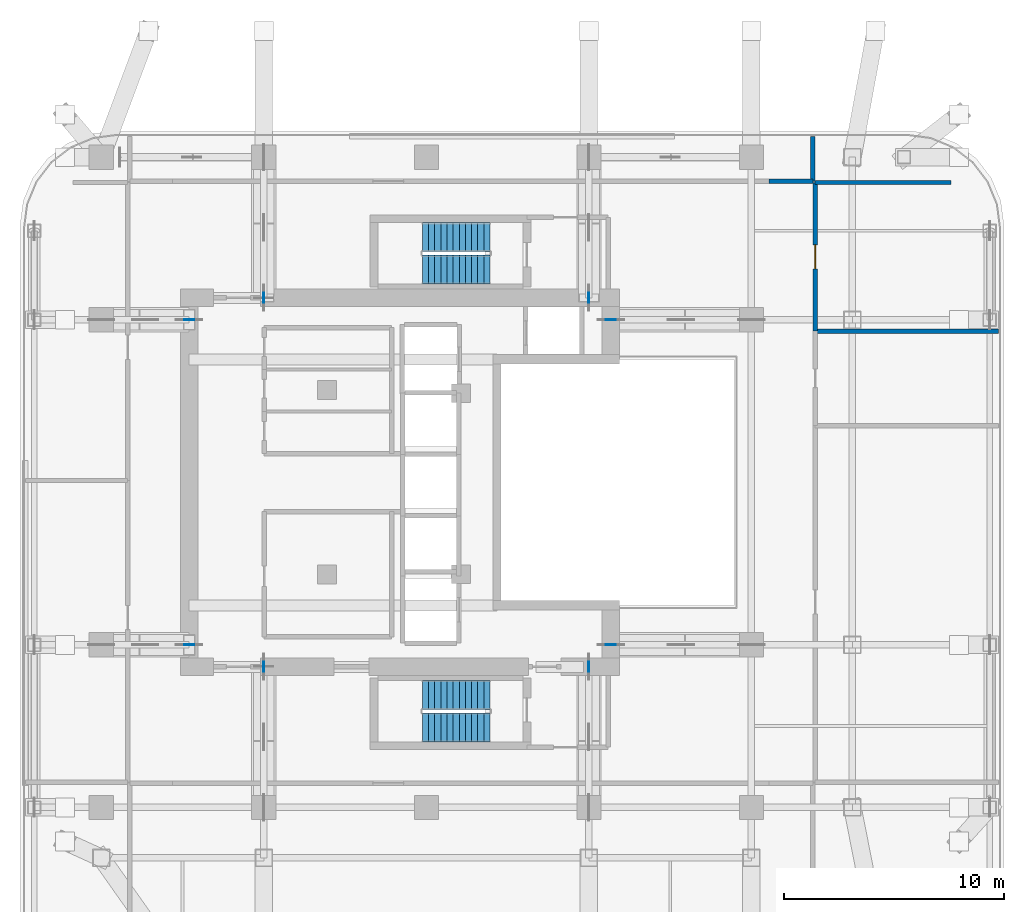
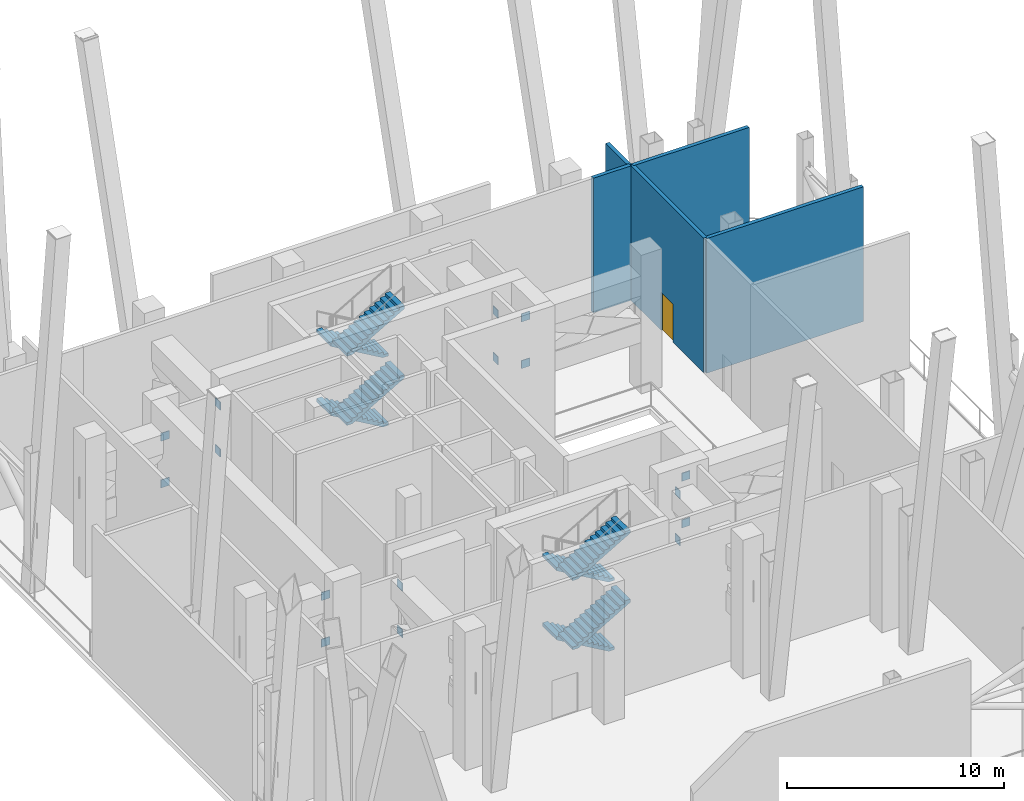
# One storey, part 6 of 9: 16 discrete accessories, 8 stair flights, 5 walls, 1 door, 1 opening, 2 elements without a shape of their own.
"""IFC4 building model written with IfcOpenShell, lengths in metres."""

from ifc_helpers import new_model, si_unit, direction, frame, frame_2d, origin, origin_2d, place, context, subcontext, project, spatial, polyline, rectangle, outline, extrude, material, layer, layer_set, type_object, element, fill, aggregate, save


model = new_model("IFC4")

# Units and contexts
model_context = context("Model", 3, precision=1e-05, world=origin(), true_north=direction((0.0, 1.0)))
body_context = subcontext(model_context, "Body", "Model", "MODEL_VIEW")
ifc_project = project(units=[si_unit("LENGTHUNIT", "METRE"), si_unit("AREAUNIT", "SQUARE_METRE"), si_unit("VOLUMEUNIT", "CUBIC_METRE"), si_unit("PLANEANGLEUNIT", "RADIAN"), si_unit("MASSUNIT", "GRAM", prefix="KILO")], contexts=[model_context])

# Site, building, storey
site_placement = place(None, origin())
site = spatial("IfcSite", under=ifc_project, at=site_placement, CompositionType="ELEMENT")
building_placement = place(site_placement, origin())
building = spatial("IfcBuilding", under=site, at=building_placement, Name="Khorvyn Point Tower", CompositionType="ELEMENT")
storey_placement = place(building_placement, frame((0.0, 0.0, 235.199951171875)))
storey = spatial("IfcBuildingStorey", under=building, at=storey_placement, Name="L58", CompositionType="ELEMENT", Elevation=235.199951171875)

# Wall, opening, door
ifc_material_1 = material(Name="Concrete C40/50", Category="concrete")
ifc_layer = layer(ifc_material_1, 0.199951171875)
ifc_layer_set = layer_set([ifc_layer], Name="Concrete C40/50 Fire-Lobby Compartment Wall 200")
wall_type = type_object("IfcWallType", Name="Concrete C40/50 Fire-Lobby Compartment Wall 200", PredefinedType="SOLIDWALL", material=ifc_layer_set)
wall_1_placement = place(storey_placement, frame((17.699951171875, 6.8798828125, 0.0), z_axis=(0.0, 0.0, 1.0), x_axis=(0.0, 1.0, 0.0)))
wall_1 = element("IfcWall", 1, at=wall_1_placement, inside=storey, type_object=wall_type, Name="Wall", PredefinedType="SOLIDWALL", context=body_context, shape_type="SweptSolid", body=[
    extrude(rectangle(XDim=6.77001953125, YDim=0.199951171875, at=frame_2d((3.385009765625, 0.0))), origin(), (0.0, 0.0, 1.0), 7.580078125),
])
opening_placement = place(wall_1_placement, frame((2.8349609375, 0.0, 0.0)))
opening = element("IfcOpeningElement", 2, at=opening_placement, cuts=wall_1, Name="Opening ID-FL90", PredefinedType="OPENING", context=body_context, shape_type="SweptSolid", body=[
    extrude(rectangle(XDim=1.10009765625, YDim=2.14990234375, at=frame_2d((0.550048828125, 1.074951171875))), frame((0.0, 0.10986328125, 0.0), z_axis=(0.0, -1.0, 0.0), x_axis=(1.0, 0.0, 0.0)), (0.0, 0.0, 1.0), 0.219970703125),
])
ifc_material_2 = material(Name="Galvanised powder-coated steel", Category="steel")
door_type = type_object("IfcDoorType", Name="Fire-Rated Steel Lobby and Stair Door 1100x2150", OperationType="NOTDEFINED", PredefinedType="DOOR", material=ifc_material_2)
door_placement = place(opening_placement, origin())
door = element("IfcDoor", 3, at=door_placement, inside=storey, type_object=door_type, Name="Door", OperationType="SINGLE_SWING_LEFT", OverallHeight=2.14990234375, OverallWidth=1.10009765625, PredefinedType="DOOR", context=body_context, shape_type="SweptSolid", body=[
    extrude(rectangle(XDim=1.10009765625, YDim=2.14990234375, at=frame_2d((0.550048828125, 1.074951171875))), frame((0.0, 0.02490234375, 0.0), z_axis=(0.0, -1.0, 0.0), x_axis=(1.0, 0.0, 0.0)), (0.0, 0.0, 1.0), 0.050048828125),
])
fill(opening, door)

# Walls
wall_2_placement = place(storey_placement, frame((15.60009765625, 13.699951171875, 0.0), z_axis=(0.0, 0.0, 1.0), x_axis=(1.0, 0.0, 0.0)))
element("IfcWall", 4, at=wall_2_placement, inside=storey, type_object=wall_type, Name="Wall", PredefinedType="SOLIDWALL", context=body_context, shape_type="SweptSolid", body=[
    extrude(rectangle(XDim=2.0, YDim=0.199951171875, at=frame_2d((1.0, 0.0))), origin(), (0.0, 0.0, 1.0), 7.580078125),
])
wall_3_placement = place(storey_placement, frame((17.60009765625, 13.699951171875, 0.0), z_axis=(0.0, 0.0, 1.0), x_axis=(0.0, 1.0, 0.0)))
element("IfcWall", 5, at=wall_3_placement, inside=storey, type_object=wall_type, Name="Wall", PredefinedType="SOLIDWALL", context=body_context, shape_type="SweptSolid", body=[
    extrude(rectangle(XDim=2.050048828125, YDim=0.199951171875, at=frame_2d((1.02490234375, 0.0))), origin(), (0.0, 0.0, 1.0), 7.580078125),
])
wall_4_placement = place(storey_placement, frame((17.699951171875, 13.64990234375, 0.0), z_axis=(0.0, 0.0, 1.0), x_axis=(1.0, 0.0, 0.0)))
element("IfcWall", 6, at=wall_4_placement, inside=storey, type_object=wall_type, Name="Wall", PredefinedType="SOLIDWALL", context=body_context, shape_type="SweptSolid", body=[
    extrude(rectangle(XDim=6.179931640625, YDim=0.199951171875, at=frame_2d((3.08984375, 0.0))), origin(), (0.0, 0.0, 1.0), 7.580078125),
])
wall_5_placement = place(storey_placement, frame((17.699951171875, 6.8798828125, 0.0), z_axis=(0.0, 0.0, 1.0), x_axis=(1.0, 0.0, 0.0)))
element("IfcWall", 7, at=wall_5_placement, inside=storey, type_object=wall_type, Name="Wall", PredefinedType="SOLIDWALL", context=body_context, shape_type="SweptSolid", body=[
    extrude(rectangle(XDim=8.35009765625, YDim=0.199951171875, at=frame_2d((4.175048828125, 0.0))), origin(), (0.0, 0.0, 1.0), 7.580078125),
])

# Stair, stair flights
stair_type = type_object("IfcStairType", Name="Tower Concrete C40/50 Dogleg Exit Stair", PredefinedType="HALF_TURN_STAIR", material=ifc_material_1)
stair_1_placement = place(storey_placement, origin())
stair_1 = element("IfcStair", 8, at=stair_1_placement, inside=storey, type_object=stair_type, Name="L58 Tower Smokeproof Exit Stair South", PredefinedType="HALF_TURN_STAIR")
stair_flight_type = type_object("IfcStairFlightType", Name="Tower Concrete C40/50 Stair Flight", PredefinedType="STRAIGHT", material=ifc_material_1)
stair_flight_1_placement = place(storey_placement, frame((2.89990234375, -9.679931640625, 0.0), z_axis=(0.0, 0.0, 1.0), x_axis=(-1.0, 0.0, 0.0)))
stair_flight_1 = element("IfcStairFlight", 9, at=stair_flight_1_placement, type_object=stair_flight_type, Name="ST-01 flight 1", NumberOfRisers=12, NumberOfTreads=11, PredefinedType="STRAIGHT", RiserHeight=0.1625, TreadLength=0.28, context=body_context, shape_type="SweptSolid", body=[
    extrude(outline(polyline([(0.0, 0.0), (0.0, 0.16259765625), (0.280029296875, 0.16259765625), (0.280029296875, 0.324951171875), (0.56005859375, 0.324951171875), (0.56005859375, 0.487548828125), (0.840087890625, 0.487548828125), (0.840087890625, 0.64990234375), (1.1201171875, 0.64990234375), (1.1201171875, 0.8125), (1.39990234375, 0.8125), (1.39990234375, 0.97509765625), (1.679931640625, 0.97509765625), (1.679931640625, 1.137451171875), (1.9599609375, 1.137451171875), (1.9599609375, 1.300048828125), (2.239990234375, 1.300048828125), (2.239990234375, 1.46240234375), (2.52001953125, 1.46240234375), (2.52001953125, 1.625), (2.800048828125, 1.625), (2.800048828125, 1.78759765625), (3.080078125, 1.78759765625), (3.080078125, 1.949951171875), (3.080078125, 1.6142578125), (0.298583984375, 0.0), (0.0, 0.0)])), frame((0.0, 0.66015625, 0.0), z_axis=(0.0, -1.0, 0.0), x_axis=(1.0, 0.0, 0.0)), (0.0, 0.0, 1.0), 1.320068359375),
])
stair_flight_2_placement = place(storey_placement, frame((-0.179931640625, -11.159912109375, 1.949951171875), z_axis=(0.0, 0.0, 1.0), x_axis=(1.0, 0.0, 0.0)))
stair_flight_2 = element("IfcStairFlight", 10, at=stair_flight_2_placement, type_object=stair_flight_type, Name="ST-01 flight 2", NumberOfRisers=12, NumberOfTreads=11, PredefinedType="STRAIGHT", RiserHeight=0.1625, TreadLength=0.28, context=body_context, shape_type="SweptSolid", body=[
    extrude(outline(polyline([(0.0, 0.0), (0.0, 0.16259765625), (0.280029296875, 0.16259765625), (0.280029296875, 0.324951171875), (0.56005859375, 0.324951171875), (0.56005859375, 0.487548828125), (0.840087890625, 0.487548828125), (0.840087890625, 0.64990234375), (1.1201171875, 0.64990234375), (1.1201171875, 0.8125), (1.39990234375, 0.8125), (1.39990234375, 0.97509765625), (1.679931640625, 0.97509765625), (1.679931640625, 1.137451171875), (1.9599609375, 1.137451171875), (1.9599609375, 1.300048828125), (2.239990234375, 1.300048828125), (2.239990234375, 1.46240234375), (2.52001953125, 1.46240234375), (2.52001953125, 1.625), (2.800048828125, 1.625), (2.800048828125, 1.78759765625), (3.080078125, 1.78759765625), (3.080078125, 1.949951171875), (3.080078125, 1.6142578125), (0.298583984375, 0.0), (0.0, 0.0)])), frame((0.0, 0.66015625, 0.0), z_axis=(0.0, -1.0, 0.0), x_axis=(1.0, 0.0, 0.0)), (0.0, 0.0, 1.0), 1.320068359375),
])
stair_flight_3_placement = place(storey_placement, frame((2.89990234375, -9.679931640625, 3.900146484375), z_axis=(0.0, 0.0, 1.0), x_axis=(-1.0, 0.0, 0.0)))
stair_flight_3 = element("IfcStairFlight", 11, at=stair_flight_3_placement, type_object=stair_flight_type, Name="ST-01 flight 3", NumberOfRisers=12, NumberOfTreads=11, PredefinedType="STRAIGHT", RiserHeight=0.1625, TreadLength=0.28, context=body_context, shape_type="SweptSolid", body=[
    extrude(outline(polyline([(0.0, 0.0), (0.0, 0.16259765625), (0.280029296875, 0.16259765625), (0.280029296875, 0.324951171875), (0.56005859375, 0.324951171875), (0.56005859375, 0.487548828125), (0.840087890625, 0.487548828125), (0.840087890625, 0.64990234375), (1.1201171875, 0.64990234375), (1.1201171875, 0.8125), (1.39990234375, 0.8125), (1.39990234375, 0.97509765625), (1.679931640625, 0.97509765625), (1.679931640625, 1.137451171875), (1.9599609375, 1.137451171875), (1.9599609375, 1.300048828125), (2.239990234375, 1.300048828125), (2.239990234375, 1.46240234375), (2.52001953125, 1.46240234375), (2.52001953125, 1.625), (2.800048828125, 1.625), (2.800048828125, 1.78759765625), (3.080078125, 1.78759765625), (3.080078125, 1.949951171875), (3.080078125, 1.6142578125), (0.298583984375, 0.0), (0.0, 0.0)])), frame((0.0, 0.66015625, 0.0), z_axis=(0.0, -1.0, 0.0), x_axis=(1.0, 0.0, 0.0)), (0.0, 0.0, 1.0), 1.320068359375),
])
stair_flight_4_placement = place(storey_placement, frame((-0.179931640625, -11.159912109375, 5.85009765625), z_axis=(0.0, 0.0, 1.0), x_axis=(1.0, 0.0, 0.0)))
stair_flight_4 = element("IfcStairFlight", 12, at=stair_flight_4_placement, type_object=stair_flight_type, Name="ST-01 flight 4", NumberOfRisers=12, NumberOfTreads=11, PredefinedType="STRAIGHT", RiserHeight=0.1625, TreadLength=0.28, context=body_context, shape_type="SweptSolid", body=[
    extrude(outline(polyline([(0.0, 0.0), (0.0, 0.16259765625), (0.280029296875, 0.16259765625), (0.280029296875, 0.324951171875), (0.56005859375, 0.324951171875), (0.56005859375, 0.487548828125), (0.840087890625, 0.487548828125), (0.840087890625, 0.64990234375), (1.1201171875, 0.64990234375), (1.1201171875, 0.8125), (1.39990234375, 0.8125), (1.39990234375, 0.97509765625), (1.679931640625, 0.97509765625), (1.679931640625, 1.137451171875), (1.9599609375, 1.137451171875), (1.9599609375, 1.300048828125), (2.239990234375, 1.300048828125), (2.239990234375, 1.46240234375), (2.52001953125, 1.46240234375), (2.52001953125, 1.625), (2.800048828125, 1.625), (2.800048828125, 1.78759765625), (3.080078125, 1.78759765625), (3.080078125, 1.949951171875), (3.080078125, 1.6142578125), (0.298583984375, 0.0), (0.0, 0.0)])), frame((0.0, 0.66015625, 0.0), z_axis=(0.0, -1.0, 0.0), x_axis=(1.0, 0.0, 0.0)), (0.0, 0.0, 1.0), 1.320068359375),
])
aggregate(stair_1, [stair_flight_1, stair_flight_2, stair_flight_3, stair_flight_4])

stair_2_placement = place(storey_placement, origin())
stair_2 = element("IfcStair", 13, at=stair_2_placement, inside=storey, type_object=stair_type, Name="L58 Tower Smokeproof Exit Stair North", PredefinedType="HALF_TURN_STAIR")
stair_flight_5_placement = place(storey_placement, frame((2.89990234375, 11.159912109375, 0.0), z_axis=(0.0, 0.0, 1.0), x_axis=(-1.0, 0.0, 0.0)))
stair_flight_5 = element("IfcStairFlight", 14, at=stair_flight_5_placement, type_object=stair_flight_type, Name="ST-02 flight 1", NumberOfRisers=12, NumberOfTreads=11, PredefinedType="STRAIGHT", RiserHeight=0.1625, TreadLength=0.28, context=body_context, shape_type="SweptSolid", body=[
    extrude(outline(polyline([(0.0, 0.0), (0.0, 0.16259765625), (0.280029296875, 0.16259765625), (0.280029296875, 0.324951171875), (0.56005859375, 0.324951171875), (0.56005859375, 0.487548828125), (0.840087890625, 0.487548828125), (0.840087890625, 0.64990234375), (1.1201171875, 0.64990234375), (1.1201171875, 0.8125), (1.39990234375, 0.8125), (1.39990234375, 0.97509765625), (1.679931640625, 0.97509765625), (1.679931640625, 1.137451171875), (1.9599609375, 1.137451171875), (1.9599609375, 1.300048828125), (2.239990234375, 1.300048828125), (2.239990234375, 1.46240234375), (2.52001953125, 1.46240234375), (2.52001953125, 1.625), (2.800048828125, 1.625), (2.800048828125, 1.78759765625), (3.080078125, 1.78759765625), (3.080078125, 1.949951171875), (3.080078125, 1.6142578125), (0.298583984375, 0.0), (0.0, 0.0)])), frame((0.0, 0.66015625, 0.0), z_axis=(0.0, -1.0, 0.0), x_axis=(1.0, 0.0, 0.0)), (0.0, 0.0, 1.0), 1.320068359375),
])
stair_flight_6_placement = place(storey_placement, frame((-0.179931640625, 9.679931640625, 1.949951171875), z_axis=(0.0, 0.0, 1.0), x_axis=(1.0, 0.0, 0.0)))
stair_flight_6 = element("IfcStairFlight", 15, at=stair_flight_6_placement, type_object=stair_flight_type, Name="ST-02 flight 2", NumberOfRisers=12, NumberOfTreads=11, PredefinedType="STRAIGHT", RiserHeight=0.1625, TreadLength=0.28, context=body_context, shape_type="SweptSolid", body=[
    extrude(outline(polyline([(0.0, 0.0), (0.0, 0.16259765625), (0.280029296875, 0.16259765625), (0.280029296875, 0.324951171875), (0.56005859375, 0.324951171875), (0.56005859375, 0.487548828125), (0.840087890625, 0.487548828125), (0.840087890625, 0.64990234375), (1.1201171875, 0.64990234375), (1.1201171875, 0.8125), (1.39990234375, 0.8125), (1.39990234375, 0.97509765625), (1.679931640625, 0.97509765625), (1.679931640625, 1.137451171875), (1.9599609375, 1.137451171875), (1.9599609375, 1.300048828125), (2.239990234375, 1.300048828125), (2.239990234375, 1.46240234375), (2.52001953125, 1.46240234375), (2.52001953125, 1.625), (2.800048828125, 1.625), (2.800048828125, 1.78759765625), (3.080078125, 1.78759765625), (3.080078125, 1.949951171875), (3.080078125, 1.6142578125), (0.298583984375, 0.0), (0.0, 0.0)])), frame((0.0, 0.66015625, 0.0), z_axis=(0.0, -1.0, 0.0), x_axis=(1.0, 0.0, 0.0)), (0.0, 0.0, 1.0), 1.320068359375),
])
stair_flight_7_placement = place(storey_placement, frame((2.89990234375, 11.159912109375, 3.900146484375), z_axis=(0.0, 0.0, 1.0), x_axis=(-1.0, 0.0, 0.0)))
stair_flight_7 = element("IfcStairFlight", 16, at=stair_flight_7_placement, type_object=stair_flight_type, Name="ST-02 flight 3", NumberOfRisers=12, NumberOfTreads=11, PredefinedType="STRAIGHT", RiserHeight=0.1625, TreadLength=0.28, context=body_context, shape_type="SweptSolid", body=[
    extrude(outline(polyline([(0.0, 0.0), (0.0, 0.16259765625), (0.280029296875, 0.16259765625), (0.280029296875, 0.324951171875), (0.56005859375, 0.324951171875), (0.56005859375, 0.487548828125), (0.840087890625, 0.487548828125), (0.840087890625, 0.64990234375), (1.1201171875, 0.64990234375), (1.1201171875, 0.8125), (1.39990234375, 0.8125), (1.39990234375, 0.97509765625), (1.679931640625, 0.97509765625), (1.679931640625, 1.137451171875), (1.9599609375, 1.137451171875), (1.9599609375, 1.300048828125), (2.239990234375, 1.300048828125), (2.239990234375, 1.46240234375), (2.52001953125, 1.46240234375), (2.52001953125, 1.625), (2.800048828125, 1.625), (2.800048828125, 1.78759765625), (3.080078125, 1.78759765625), (3.080078125, 1.949951171875), (3.080078125, 1.6142578125), (0.298583984375, 0.0), (0.0, 0.0)])), frame((0.0, 0.66015625, 0.0), z_axis=(0.0, -1.0, 0.0), x_axis=(1.0, 0.0, 0.0)), (0.0, 0.0, 1.0), 1.320068359375),
])
stair_flight_8_placement = place(storey_placement, frame((-0.179931640625, 9.679931640625, 5.85009765625), z_axis=(0.0, 0.0, 1.0), x_axis=(1.0, 0.0, 0.0)))
stair_flight_8 = element("IfcStairFlight", 17, at=stair_flight_8_placement, type_object=stair_flight_type, Name="ST-02 flight 4", NumberOfRisers=12, NumberOfTreads=11, PredefinedType="STRAIGHT", RiserHeight=0.1625, TreadLength=0.28, context=body_context, shape_type="SweptSolid", body=[
    extrude(outline(polyline([(0.0, 0.0), (0.0, 0.16259765625), (0.280029296875, 0.16259765625), (0.280029296875, 0.324951171875), (0.56005859375, 0.324951171875), (0.56005859375, 0.487548828125), (0.840087890625, 0.487548828125), (0.840087890625, 0.64990234375), (1.1201171875, 0.64990234375), (1.1201171875, 0.8125), (1.39990234375, 0.8125), (1.39990234375, 0.97509765625), (1.679931640625, 0.97509765625), (1.679931640625, 1.137451171875), (1.9599609375, 1.137451171875), (1.9599609375, 1.300048828125), (2.239990234375, 1.300048828125), (2.239990234375, 1.46240234375), (2.52001953125, 1.46240234375), (2.52001953125, 1.625), (2.800048828125, 1.625), (2.800048828125, 1.78759765625), (3.080078125, 1.78759765625), (3.080078125, 1.949951171875), (3.080078125, 1.6142578125), (0.298583984375, 0.0), (0.0, 0.0)])), frame((0.0, 0.66015625, 0.0), z_axis=(0.0, -1.0, 0.0), x_axis=(1.0, 0.0, 0.0)), (0.0, 0.0, 1.0), 1.320068359375),
])
aggregate(stair_2, [stair_flight_5, stair_flight_6, stair_flight_7, stair_flight_8])

# Discrete accessories
ifc_material_3 = material(Name="Steel S355", Category="steel")
discrete_accessory_type = type_object("IfcDiscreteAccessoryType", Name="Steel S355 Outrigger Core Embedment Anchor Plate 40", PredefinedType="BRACKET", material=ifc_material_3)
for number, where, z_axis, x_axis, name in (
    (18, (-10.800048828125, -7.39990234375, 3.22509765625), (0.0, 0.0, 1.0), (1.0, 0.0, 0.0), "L58 Outrigger Core Embedment Anchor Plate WSB"),
    (19, (-10.800048828125, -7.39990234375, 5.85498046875), (0.0, 0.0, 1.0), (1.0, 0.0, 0.0), "L58 Outrigger Core Embedment Anchor Plate WST"),
    (20, (-10.800048828125, 7.39990234375, 3.22509765625), (0.0, 0.0, 1.0), (1.0, 0.0, 0.0), "L58 Outrigger Core Embedment Anchor Plate WNB"),
    (21, (-10.800048828125, 7.39990234375, 5.85498046875), (0.0, 0.0, 1.0), (1.0, 0.0, 0.0), "L58 Outrigger Core Embedment Anchor Plate WNT"),
    (22, (8.39990234375, -7.39990234375, 3.22509765625), (0.0, 0.0, 1.0), (1.0, 0.0, 0.0), "L58 Outrigger Core Embedment Anchor Plate ESB"),
    (23, (8.39990234375, -7.39990234375, 5.85498046875), (0.0, 0.0, 1.0), (1.0, 0.0, 0.0), "L58 Outrigger Core Embedment Anchor Plate EST"),
    (24, (8.39990234375, 7.39990234375, 3.22509765625), (0.0, 0.0, 1.0), (1.0, 0.0, 0.0), "L58 Outrigger Core Embedment Anchor Plate ENB"),
    (25, (8.39990234375, 7.39990234375, 5.85498046875), (0.0, 0.0, 1.0), (1.0, 0.0, 0.0), "L58 Outrigger Core Embedment Anchor Plate ENT"),
):
    element("IfcDiscreteAccessory", number, at=place(storey_placement, frame(where, z_axis=z_axis, x_axis=x_axis)), inside=storey, type_object=discrete_accessory_type, Name=name, PredefinedType="BRACKET", context=body_context, shape_type="SweptSolid", body=[
        extrude(rectangle(XDim=0.449951171875, YDim=0.0400390625, at=origin_2d()), origin(), (0.0, 0.0, 1.0), 0.449951171875),
    ])
for number, where, z_axis, x_axis, name in (
    (26, (-7.39990234375, -8.39990234375, 3.22509765625), (0.0, 0.0, 1.0), (1.0, 0.0, 0.0), "L58 Outrigger Core Embedment Anchor Plate SWB"),
    (27, (-7.39990234375, -8.39990234375, 5.85498046875), (0.0, 0.0, 1.0), (1.0, 0.0, 0.0), "L58 Outrigger Core Embedment Anchor Plate SWT"),
    (28, (7.39990234375, -8.39990234375, 3.22509765625), (0.0, 0.0, 1.0), (1.0, 0.0, 0.0), "L58 Outrigger Core Embedment Anchor Plate SEB"),
    (29, (7.39990234375, -8.39990234375, 5.85498046875), (0.0, 0.0, 1.0), (1.0, 0.0, 0.0), "L58 Outrigger Core Embedment Anchor Plate SET"),
    (30, (-7.39990234375, 8.39990234375, 3.22509765625), (0.0, 0.0, 1.0), (1.0, 0.0, 0.0), "L58 Outrigger Core Embedment Anchor Plate NWB"),
    (31, (-7.39990234375, 8.39990234375, 5.85498046875), (0.0, 0.0, 1.0), (1.0, 0.0, 0.0), "L58 Outrigger Core Embedment Anchor Plate NWT"),
    (32, (7.39990234375, 8.39990234375, 3.22509765625), (0.0, 0.0, 1.0), (1.0, 0.0, 0.0), "L58 Outrigger Core Embedment Anchor Plate NEB"),
    (33, (7.39990234375, 8.39990234375, 5.85498046875), (0.0, 0.0, 1.0), (1.0, 0.0, 0.0), "L58 Outrigger Core Embedment Anchor Plate NET"),
):
    element("IfcDiscreteAccessory", number, at=place(storey_placement, frame(where, z_axis=z_axis, x_axis=x_axis)), inside=storey, type_object=discrete_accessory_type, Name=name, PredefinedType="BRACKET", context=body_context, shape_type="SweptSolid", body=[
        extrude(rectangle(XDim=0.0400390625, YDim=0.449951171875, at=origin_2d()), origin(), (0.0, 0.0, 1.0), 0.449951171875),
    ])

save(model, "model.ifc")
